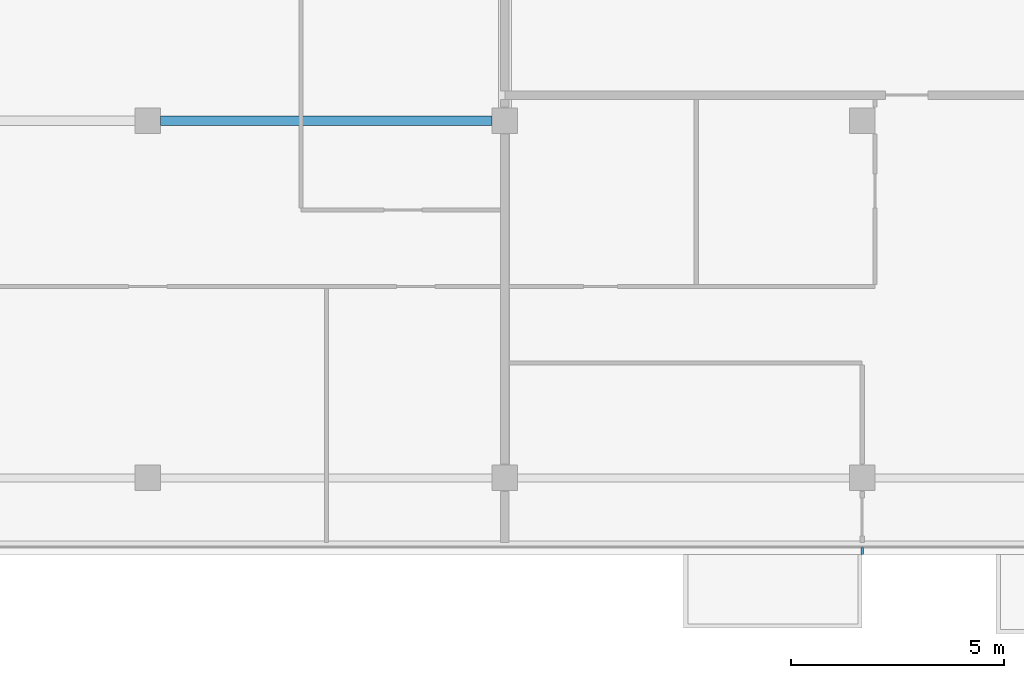
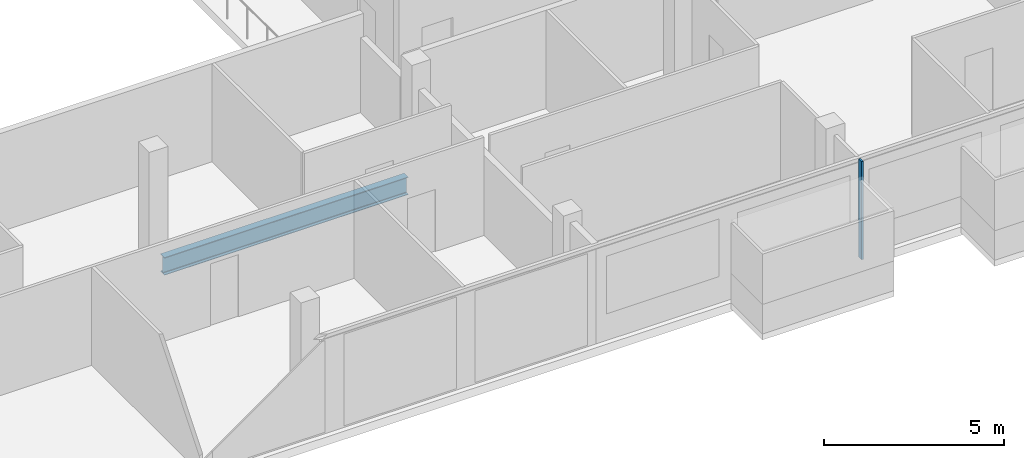
# One storey, part 6 of 29: 1 beam, 1 member, 1 element without a shape of its own.
"""IFC4 building model written with IfcOpenShell, lengths in metres."""

from ifc_helpers import new_model, si_unit, direction, frame, origin, origin_2d, place, context, subcontext, project, spatial, rectangle, i_section, extrude, material, material_profile, profile_set, type_object, element, aggregate, save


model = new_model("IFC4")

# Units and contexts
model_context = context("Model", 3, precision=1e-05, world=origin(), true_north=direction((0.0, 1.0)))
body_context = subcontext(model_context, "Body", "Model", "MODEL_VIEW")
ifc_project = project(units=[si_unit("LENGTHUNIT", "METRE"), si_unit("AREAUNIT", "SQUARE_METRE"), si_unit("VOLUMEUNIT", "CUBIC_METRE"), si_unit("PLANEANGLEUNIT", "RADIAN"), si_unit("MASSUNIT", "GRAM", prefix="KILO")], contexts=[model_context])

# Site, building, storey
site_placement = place(None, origin())
site = spatial("IfcSite", under=ifc_project, at=site_placement, CompositionType="ELEMENT")
building_placement = place(site_placement, origin())
building = spatial("IfcBuilding", under=site, at=building_placement, Name="Saffron Gate Tower", CompositionType="ELEMENT")
storey_placement = place(building_placement, frame((0.0, 0.0, 219.89990234375)))
storey = spatial("IfcBuildingStorey", under=building, at=storey_placement, Name="L53", CompositionType="ELEMENT", Elevation=219.89990234375)

# Beam
ifc_material_1 = material(Name="Structural steel S355", Category="steel")
ifc_material_profile_1 = material_profile(ifc_material_1, i_section(OverallWidth=0.219970703125, OverallDepth=0.60009765625, WebThickness=0.011962890625, FlangeThickness=0.01904296875, FilletRadius=0.02392578125, at=origin_2d()))
ifc_profile_set_1 = profile_set([ifc_material_profile_1], Name="Structural steel S355")
beam_type = type_object("IfcBeamType", Name="B15 IPE 600", PredefinedType="BEAM", material=ifc_profile_set_1)
beam_placement = place(storey_placement, frame((92.10009765625, 40.199951171875, -0.579833984375), z_axis=(1.0, 0.0, 0.0), x_axis=(0.0, 1.0, 0.0)))
element("IfcBeam", 1, at=beam_placement, inside=storey, type_object=beam_type, Name="B15 FLOOR GIRDER", PredefinedType="BEAM", context=body_context, shape_type="SweptSolid", body=[
    extrude(i_section(OverallWidth=0.219970703125, OverallDepth=0.60009765625, WebThickness=0.011962890625, FlangeThickness=0.01904296875, FilletRadius=0.02392578125, at=origin_2d()), origin(), (0.0, 0.0, 1.0), 7.7998046875),
])

# Curtain wall, member
ifc_material_2 = material(Name="Aluminium, bronze anodised", Category="aluminium")
curtain_wall_type = type_object("IfcCurtainWallType", Name="CWS1 curtain wall front facade", PredefinedType="NOTDEFINED", material=ifc_material_2)
curtain_wall_placement = place(storey_placement, origin())
curtain_wall = element("IfcCurtainWall", 2, at=curtain_wall_placement, inside=storey, type_object=curtain_wall_type, Name="CWS1 run 1", PredefinedType="NOTDEFINED")
ifc_material_profile_2 = material_profile(ifc_material_2, rectangle(XDim=0.159912109375, YDim=0.06005859375, at=origin_2d()))
ifc_profile_set_2 = profile_set([ifc_material_profile_2], Name="Aluminium, bronze anodised")
member_type = type_object("IfcMemberType", Name="CWS1 mullion 60x160", PredefinedType="MULLION", material=ifc_profile_set_2)
member_placement = place(storey_placement, frame((108.60009765625, 30.080078125, 0.0), z_axis=(0.0, 0.0, 1.0), x_axis=(0.0, 1.0, 0.0)))
member = element("IfcMember", 3, at=member_placement, type_object=member_type, Name="CWS1 mullion 8", PredefinedType="MULLION", context=body_context, shape_type="SweptSolid", body=[
    extrude(rectangle(XDim=0.159912109375, YDim=0.06005859375, at=origin_2d()), origin(), (0.0, 0.0, 1.0), 3.320068359375),
])
aggregate(curtain_wall, [member])

save(model, "model.ifc")
